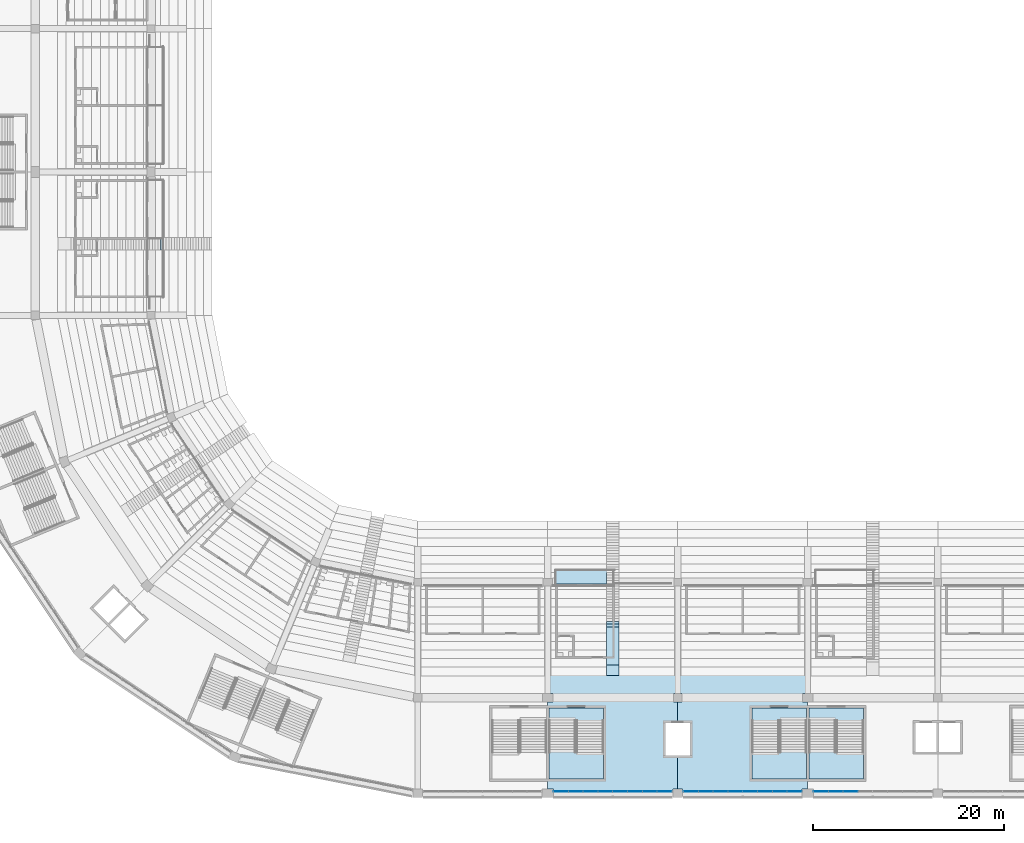
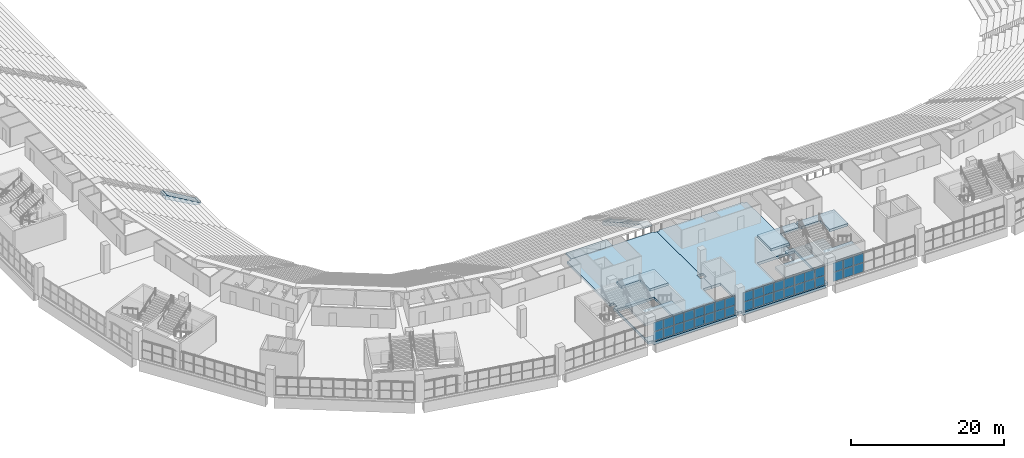
# One storey, part 65 of 249: 38 plates, 12 slabs, 6 elements without a shape of their own.
"""IFC4 building model written with IfcOpenShell, lengths in metres."""

from ifc_helpers import new_model, si_unit, direction, frame, origin, origin_2d, place, context, subcontext, project, spatial, polyline, rectangle, outline, extrude, material, layer, layer_set, type_object, element, aggregate, save


model = new_model("IFC4")

# Units and contexts
model_context = context("Model", 3, precision=1e-05, world=origin(), true_north=direction((0.0, 1.0)))
body_context = subcontext(model_context, "Body", "Model", "MODEL_VIEW")
ifc_project = project(units=[si_unit("LENGTHUNIT", "METRE"), si_unit("AREAUNIT", "SQUARE_METRE"), si_unit("VOLUMEUNIT", "CUBIC_METRE"), si_unit("PLANEANGLEUNIT", "RADIAN"), si_unit("MASSUNIT", "GRAM", prefix="KILO")], contexts=[model_context])

# Site, building, storey
site_placement = place(None, origin())
site = spatial("IfcSite", under=ifc_project, at=site_placement, CompositionType="ELEMENT")
building_placement = place(site_placement, origin())
building = spatial("IfcBuilding", under=site, at=building_placement, Name="Ogive Plaza Stadium", CompositionType="ELEMENT")
storey_placement = place(building_placement, frame((0.0, 0.0, 13.5)))
storey = spatial("IfcBuildingStorey", under=building, at=storey_placement, Name="L03", CompositionType="ELEMENT", Elevation=13.5)

# Slabs
ifc_material_1 = material(Name="Concrete C40/50", Category="concrete")
ifc_layer_1 = layer(ifc_material_1, 0.75927734375)
ifc_layer_set_1 = layer_set([ifc_layer_1], Name="Concrete C40/50")
ifc_layer_2 = layer(ifc_material_1, 0.449951171875)
ifc_layer_set_2 = layer_set([ifc_layer_2], Name="Concrete C40/50")
slab_type_1 = type_object("IfcSlabType", Name="Aisle stair slab 1300", PredefinedType="USERDEFINED", material=ifc_layer_set_2)
slab_1_placement = place(storey_placement, frame((-13.60009765625, -79.39990234375, -13.5), z_axis=(0.0, 0.0, 1.0), x_axis=(0.0, -1.0, 0.0)))
element("IfcSlab", 1, at=slab_1_placement, inside=storey, type_object=slab_type_1, material=ifc_layer_set_1, Name="Aisle stair SA15U slab 2", ObjectType="AISLE STAIR SLAB", PredefinedType="USERDEFINED", context=body_context, shape_type="SweptSolid", body=[
    extrude(outline(polyline([(0.0, 17.0), (0.2958984375, 17.0), (5.10009765625, 19.825927734375), (5.39990234375, 19.825927734375), (5.39990234375, 19.300048828125), (5.25, 19.216796875), (5.10009765625, 19.13330078125), (4.949951171875, 19.050048828125), (4.800048828125, 18.966796875), (4.64990234375, 18.88330078125), (4.5, 18.800048828125), (4.35009765625, 18.716796875), (4.199951171875, 18.63330078125), (4.050048828125, 18.550048828125), (3.89990234375, 18.466796875), (3.75, 18.38330078125), (3.60009765625, 18.300048828125), (3.449951171875, 18.216796875), (3.300048828125, 18.13330078125), (3.14990234375, 18.050048828125), (3.0, 17.966796875), (2.85009765625, 17.88330078125), (2.699951171875, 17.800048828125), (2.550048828125, 17.716796875), (2.39990234375, 17.63330078125), (2.25, 17.550048828125), (2.10009765625, 17.466796875), (1.949951171875, 17.38330078125), (1.800048828125, 17.300048828125), (1.64990234375, 17.216796875), (1.5, 17.13330078125), (1.35009765625, 17.050048828125), (1.199951171875, 16.966796875), (1.050048828125, 16.88330078125), (0.89990234375, 16.800048828125), (0.75, 16.716796875), (0.60009765625, 16.63330078125), (0.449951171875, 16.550048828125), (0.300048828125, 16.466796875), (0.14990234375, 16.38330078125), (0.0, 16.300048828125), (0.0, 17.0)])), frame((0.0, 0.64990234375, 0.0), z_axis=(0.0, -1.0, 0.0), x_axis=(1.0, 0.0, 0.0)), (0.0, 0.0, 1.0), 1.300048828125),
])
ifc_layer_3 = layer(ifc_material_1, 1.08056640625)
ifc_layer_set_3 = layer_set([ifc_layer_3], Name="Concrete C40/50")
slab_2_placement = place(storey_placement, frame((-13.60009765625, -84.800048828125, -13.5), z_axis=(0.0, 0.0, 1.0), x_axis=(0.0, -1.0, 0.0)))
element("IfcSlab", 2, at=slab_2_placement, inside=storey, type_object=slab_type_1, material=ifc_layer_set_3, Name="Aisle stair SA15U slab 3", ObjectType="AISLE STAIR SLAB", PredefinedType="USERDEFINED", context=body_context, shape_type="SweptSolid", body=[
    extrude(outline(polyline([(0.0, 20.0), (0.2958984375, 20.0), (4.25, 22.325927734375), (5.35009765625, 22.325927734375), (5.35009765625, 22.272216796875), (5.25, 22.216796875), (5.10009765625, 22.13330078125), (4.949951171875, 22.050048828125), (4.800048828125, 21.966796875), (4.64990234375, 21.88330078125), (4.5, 21.800048828125), (4.35009765625, 21.716796875), (4.199951171875, 21.63330078125), (4.050048828125, 21.550048828125), (3.89990234375, 21.466796875), (3.75, 21.38330078125), (3.60009765625, 21.300048828125), (3.449951171875, 21.216796875), (3.300048828125, 21.13330078125), (3.14990234375, 21.050048828125), (3.0, 20.966796875), (2.85009765625, 20.88330078125), (2.699951171875, 20.800048828125), (2.550048828125, 20.716796875), (2.39990234375, 20.63330078125), (2.25, 20.550048828125), (2.10009765625, 20.466796875), (1.949951171875, 20.38330078125), (1.800048828125, 20.300048828125), (1.64990234375, 20.216796875), (1.5, 20.13330078125), (1.35009765625, 20.050048828125), (1.199951171875, 19.966796875), (1.050048828125, 19.88330078125), (0.89990234375, 19.800048828125), (0.75, 19.716796875), (0.60009765625, 19.63330078125), (0.449951171875, 19.550048828125), (0.300048828125, 19.466796875), (0.14990234375, 19.38330078125), (0.0, 19.300048828125), (0.0, 20.0)])), frame((0.0, 0.64990234375, 0.0), z_axis=(0.0, -1.0, 0.0), x_axis=(1.0, 0.0, 0.0)), (0.0, 0.0, 1.0), 1.300048828125),
])
ifc_layer_4 = layer(ifc_material_1, 0.73486328125)
ifc_layer_set_4 = layer_set([ifc_layer_4], Name="Concrete C40/50")
slab_3_placement = place(storey_placement, frame((-55.5, -45.0, -13.5), z_axis=(0.0, 0.0, 1.0), x_axis=(-1.0, 0.0, 0.0)))
element("IfcSlab", 3, at=slab_3_placement, inside=storey, type_object=slab_type_1, material=ifc_layer_set_4, Name="Aisle stair SA21U slab 1", ObjectType="AISLE STAIR SLAB", PredefinedType="USERDEFINED", context=body_context, shape_type="SweptSolid", body=[
    extrude(outline(polyline([(0.0, 14.0), (0.2958984375, 14.0), (5.10009765625, 16.825927734375), (5.39990234375, 16.825927734375), (5.39990234375, 16.300048828125), (5.359375, 16.27734375), (5.209228515625, 16.194091796875), (5.059326171875, 16.110595703125), (4.9091796875, 16.02734375), (4.75927734375, 15.944091796875), (4.609375, 15.860595703125), (4.459228515625, 15.77734375), (4.309326171875, 15.694091796875), (4.1591796875, 15.610595703125), (4.00927734375, 15.52734375), (3.859375, 15.444091796875), (3.709228515625, 15.360595703125), (3.559326171875, 15.27734375), (3.4091796875, 15.194091796875), (3.25927734375, 15.110595703125), (3.109375, 15.02734375), (2.959228515625, 14.944091796875), (2.809326171875, 14.860595703125), (2.6591796875, 14.77734375), (2.50927734375, 14.694091796875), (2.359375, 14.610595703125), (2.209228515625, 14.52734375), (2.059326171875, 14.444091796875), (1.9091796875, 14.360595703125), (1.75927734375, 14.27734375), (1.609375, 14.194091796875), (1.459228515625, 14.110595703125), (1.309326171875, 14.02734375), (1.1591796875, 13.944091796875), (1.00927734375, 13.860595703125), (0.859375, 13.77734375), (0.709228515625, 13.75), (0.559326171875, 13.75), (0.4091796875, 13.75), (0.25927734375, 13.75), (0.109375, 13.75), (0.0, 14.0)])), frame((0.0, 0.64990234375, 0.0), z_axis=(0.0, -1.0, 0.0), x_axis=(1.0, 0.0, 0.0)), (0.0, 0.0, 1.0), 1.300048828125),
])
ifc_material_2 = material(Name="Concrete C40/50", Category="concrete")
ifc_layer_5 = layer(ifc_material_2, 0.25)
ifc_layer_set_5 = layer_set([ifc_layer_5], Name="Concrete C40/50")
slab_type_2 = type_object("IfcSlabType", Name="Balcony slab 250", PredefinedType="FLOOR", material=ifc_layer_set_5)
slab_4_placement = place(storey_placement, frame((0.0, 0.0, -0.25)))
element("IfcSlab", 4, at=slab_4_placement, inside=storey, type_object=slab_type_2, Name="Suite terrace slab B15", PredefinedType="FLOOR", context=body_context, shape_type="SweptSolid", body=[
    extrude(outline(polyline([(-19.574951171875, -79.0), (-19.574951171875, -80.60009765625), (-13.425048828125, -80.60009765625), (-13.425048828125, -79.0), (-19.574951171875, -79.0)])), origin(), (0.0, 0.0, 1.0), 0.25),
])

# Curtain wall, plates
ifc_material_3 = material(Name="Bronze-anodised aluminium with laminated glass", Category="aluminium")
curtain_wall_type = type_object("IfcCurtainWallType", Name="Lancet curtain wall", PredefinedType="NOTDEFINED", material=ifc_material_3)
curtain_wall_1_placement = place(storey_placement, origin())
curtain_wall_1 = element("IfcCurtainWall", 5, at=curtain_wall_1_placement, inside=storey, type_object=curtain_wall_type, Name="CURTAIN WALL B13 L03", PredefinedType="NOTDEFINED")
ifc_material_4 = material(Name="Laminated glass", Category="glass")
ifc_layer_6 = layer(ifc_material_4, 0.028076171875)
ifc_layer_set_6 = layer_set([ifc_layer_6], Name="Laminated glass panel 28")
plate_type = type_object("IfcPlateType", Name="Laminated glass panel 28", PredefinedType="CURTAIN_PANEL", material=ifc_layer_set_6)
plate_1_placement = place(storey_placement, frame((11.27490234375, -102.300048828125, 0.0498046875), z_axis=(0.0, 0.0, 1.0), x_axis=(-1.0, 0.0, 0.0)))
plate_1 = element("IfcPlate", 6, at=plate_1_placement, type_object=plate_type, Name="CW-B13-L03 panel 6.1", PredefinedType="CURTAIN_PANEL", context=body_context, shape_type="SweptSolid", body=[
    extrude(rectangle(XDim=1.5, YDim=0.028076171875, at=origin_2d()), origin(), (0.0, 0.0, 1.0), 1.469970703125),
])
plate_2_placement = place(storey_placement, frame((11.27490234375, -102.300048828125, 1.56982421875), z_axis=(0.0, 0.0, 1.0), x_axis=(-1.0, 0.0, 0.0)))
plate_2 = element("IfcPlate", 7, at=plate_2_placement, type_object=plate_type, Name="CW-B13-L03 panel 6.2", PredefinedType="CURTAIN_PANEL", context=body_context, shape_type="SweptSolid", body=[
    extrude(rectangle(XDim=1.5, YDim=0.028076171875, at=origin_2d()), origin(), (0.0, 0.0, 1.0), 1.469970703125),
])
plate_3_placement = place(storey_placement, frame((9.72509765625, -102.300048828125, 0.0498046875), z_axis=(0.0, 0.0, 1.0), x_axis=(-1.0, 0.0, 0.0)))
plate_3 = element("IfcPlate", 8, at=plate_3_placement, type_object=plate_type, Name="CW-B13-L03 panel 7.1", PredefinedType="CURTAIN_PANEL", context=body_context, shape_type="SweptSolid", body=[
    extrude(rectangle(XDim=1.5, YDim=0.028076171875, at=origin_2d()), origin(), (0.0, 0.0, 1.0), 1.469970703125),
])
plate_4_placement = place(storey_placement, frame((9.72509765625, -102.300048828125, 1.56982421875), z_axis=(0.0, 0.0, 1.0), x_axis=(-1.0, 0.0, 0.0)))
plate_4 = element("IfcPlate", 9, at=plate_4_placement, type_object=plate_type, Name="CW-B13-L03 panel 7.2", PredefinedType="CURTAIN_PANEL", context=body_context, shape_type="SweptSolid", body=[
    extrude(rectangle(XDim=1.5, YDim=0.028076171875, at=origin_2d()), origin(), (0.0, 0.0, 1.0), 1.469970703125),
])
plate_5_placement = place(storey_placement, frame((8.1875, -102.300048828125, 0.0498046875), z_axis=(0.0, 0.0, 1.0), x_axis=(-1.0, 0.0, 0.0)))
plate_5 = element("IfcPlate", 10, at=plate_5_placement, type_object=plate_type, Name="CW-B13-L03 panel 8.1", PredefinedType="CURTAIN_PANEL", context=body_context, shape_type="SweptSolid", body=[
    extrude(rectangle(XDim=1.47509765625, YDim=0.028076171875, at=origin_2d()), origin(), (0.0, 0.0, 1.0), 1.469970703125),
])
plate_6_placement = place(storey_placement, frame((8.1875, -102.300048828125, 1.56982421875), z_axis=(0.0, 0.0, 1.0), x_axis=(-1.0, 0.0, 0.0)))
plate_6 = element("IfcPlate", 11, at=plate_6_placement, type_object=plate_type, Name="CW-B13-L03 panel 8.2", PredefinedType="CURTAIN_PANEL", context=body_context, shape_type="SweptSolid", body=[
    extrude(rectangle(XDim=1.47509765625, YDim=0.028076171875, at=origin_2d()), origin(), (0.0, 0.0, 1.0), 1.469970703125),
])
aggregate(curtain_wall_1, [plate_1, plate_2, plate_3, plate_4, plate_5, plate_6])

curtain_wall_2_placement = place(storey_placement, origin())
curtain_wall_2 = element("IfcCurtainWall", 12, at=curtain_wall_2_placement, inside=storey, type_object=curtain_wall_type, Name="CURTAIN WALL B14 L03", PredefinedType="NOTDEFINED")
plate_7_placement = place(storey_placement, frame((5.41259765625, -102.300048828125, 0.0498046875), z_axis=(0.0, 0.0, 1.0), x_axis=(-1.0, 0.0, 0.0)))
plate_7 = element("IfcPlate", 13, at=plate_7_placement, type_object=plate_type, Name="CW-B14-L03 panel 1.1", PredefinedType="CURTAIN_PANEL", context=body_context, shape_type="SweptSolid", body=[
    extrude(rectangle(XDim=1.47509765625, YDim=0.028076171875, at=origin_2d()), origin(), (0.0, 0.0, 1.0), 1.469970703125),
])
plate_8_placement = place(storey_placement, frame((5.41259765625, -102.300048828125, 1.56982421875), z_axis=(0.0, 0.0, 1.0), x_axis=(-1.0, 0.0, 0.0)))
plate_8 = element("IfcPlate", 14, at=plate_8_placement, type_object=plate_type, Name="CW-B14-L03 panel 1.2", PredefinedType="CURTAIN_PANEL", context=body_context, shape_type="SweptSolid", body=[
    extrude(rectangle(XDim=1.47509765625, YDim=0.028076171875, at=origin_2d()), origin(), (0.0, 0.0, 1.0), 1.469970703125),
])
plate_9_placement = place(storey_placement, frame((3.875, -102.300048828125, 0.0498046875), z_axis=(0.0, 0.0, 1.0), x_axis=(-1.0, 0.0, 0.0)))
plate_9 = element("IfcPlate", 15, at=plate_9_placement, type_object=plate_type, Name="CW-B14-L03 panel 2.1", PredefinedType="CURTAIN_PANEL", context=body_context, shape_type="SweptSolid", body=[
    extrude(rectangle(XDim=1.5, YDim=0.028076171875, at=origin_2d()), origin(), (0.0, 0.0, 1.0), 1.469970703125),
])
plate_10_placement = place(storey_placement, frame((3.875, -102.300048828125, 1.56982421875), z_axis=(0.0, 0.0, 1.0), x_axis=(-1.0, 0.0, 0.0)))
plate_10 = element("IfcPlate", 16, at=plate_10_placement, type_object=plate_type, Name="CW-B14-L03 panel 2.2", PredefinedType="CURTAIN_PANEL", context=body_context, shape_type="SweptSolid", body=[
    extrude(rectangle(XDim=1.5, YDim=0.028076171875, at=origin_2d()), origin(), (0.0, 0.0, 1.0), 1.469970703125),
])
plate_11_placement = place(storey_placement, frame((2.324951171875, -102.300048828125, 0.0498046875), z_axis=(0.0, 0.0, 1.0), x_axis=(-1.0, 0.0, 0.0)))
plate_11 = element("IfcPlate", 17, at=plate_11_placement, type_object=plate_type, Name="CW-B14-L03 panel 3.1", PredefinedType="CURTAIN_PANEL", context=body_context, shape_type="SweptSolid", body=[
    extrude(rectangle(XDim=1.5, YDim=0.028076171875, at=origin_2d()), origin(), (0.0, 0.0, 1.0), 1.469970703125),
])
plate_12_placement = place(storey_placement, frame((2.324951171875, -102.300048828125, 1.56982421875), z_axis=(0.0, 0.0, 1.0), x_axis=(-1.0, 0.0, 0.0)))
plate_12 = element("IfcPlate", 18, at=plate_12_placement, type_object=plate_type, Name="CW-B14-L03 panel 3.2", PredefinedType="CURTAIN_PANEL", context=body_context, shape_type="SweptSolid", body=[
    extrude(rectangle(XDim=1.5, YDim=0.028076171875, at=origin_2d()), origin(), (0.0, 0.0, 1.0), 1.469970703125),
])
plate_13_placement = place(storey_placement, frame((0.77490234375, -102.300048828125, 0.0498046875), z_axis=(0.0, 0.0, 1.0), x_axis=(-1.0, 0.0, 0.0)))
plate_13 = element("IfcPlate", 19, at=plate_13_placement, type_object=plate_type, Name="CW-B14-L03 panel 4.1", PredefinedType="CURTAIN_PANEL", context=body_context, shape_type="SweptSolid", body=[
    extrude(rectangle(XDim=1.5, YDim=0.028076171875, at=origin_2d()), origin(), (0.0, 0.0, 1.0), 1.469970703125),
])
plate_14_placement = place(storey_placement, frame((0.77490234375, -102.300048828125, 1.56982421875), z_axis=(0.0, 0.0, 1.0), x_axis=(-1.0, 0.0, 0.0)))
plate_14 = element("IfcPlate", 20, at=plate_14_placement, type_object=plate_type, Name="CW-B14-L03 panel 4.2", PredefinedType="CURTAIN_PANEL", context=body_context, shape_type="SweptSolid", body=[
    extrude(rectangle(XDim=1.5, YDim=0.028076171875, at=origin_2d()), origin(), (0.0, 0.0, 1.0), 1.469970703125),
])
plate_15_placement = place(storey_placement, frame((-0.77490234375, -102.300048828125, 0.0498046875), z_axis=(0.0, 0.0, 1.0), x_axis=(-1.0, 0.0, 0.0)))
plate_15 = element("IfcPlate", 21, at=plate_15_placement, type_object=plate_type, Name="CW-B14-L03 panel 5.1", PredefinedType="CURTAIN_PANEL", context=body_context, shape_type="SweptSolid", body=[
    extrude(rectangle(XDim=1.5, YDim=0.028076171875, at=origin_2d()), origin(), (0.0, 0.0, 1.0), 1.469970703125),
])
plate_16_placement = place(storey_placement, frame((-0.77490234375, -102.300048828125, 1.56982421875), z_axis=(0.0, 0.0, 1.0), x_axis=(-1.0, 0.0, 0.0)))
plate_16 = element("IfcPlate", 22, at=plate_16_placement, type_object=plate_type, Name="CW-B14-L03 panel 5.2", PredefinedType="CURTAIN_PANEL", context=body_context, shape_type="SweptSolid", body=[
    extrude(rectangle(XDim=1.5, YDim=0.028076171875, at=origin_2d()), origin(), (0.0, 0.0, 1.0), 1.469970703125),
])
plate_17_placement = place(storey_placement, frame((-2.324951171875, -102.300048828125, 0.0498046875), z_axis=(0.0, 0.0, 1.0), x_axis=(-1.0, 0.0, 0.0)))
plate_17 = element("IfcPlate", 23, at=plate_17_placement, type_object=plate_type, Name="CW-B14-L03 panel 6.1", PredefinedType="CURTAIN_PANEL", context=body_context, shape_type="SweptSolid", body=[
    extrude(rectangle(XDim=1.5, YDim=0.028076171875, at=origin_2d()), origin(), (0.0, 0.0, 1.0), 1.469970703125),
])
plate_18_placement = place(storey_placement, frame((-2.324951171875, -102.300048828125, 1.56982421875), z_axis=(0.0, 0.0, 1.0), x_axis=(-1.0, 0.0, 0.0)))
plate_18 = element("IfcPlate", 24, at=plate_18_placement, type_object=plate_type, Name="CW-B14-L03 panel 6.2", PredefinedType="CURTAIN_PANEL", context=body_context, shape_type="SweptSolid", body=[
    extrude(rectangle(XDim=1.5, YDim=0.028076171875, at=origin_2d()), origin(), (0.0, 0.0, 1.0), 1.469970703125),
])
plate_19_placement = place(storey_placement, frame((-3.875, -102.300048828125, 0.0498046875), z_axis=(0.0, 0.0, 1.0), x_axis=(-1.0, 0.0, 0.0)))
plate_19 = element("IfcPlate", 25, at=plate_19_placement, type_object=plate_type, Name="CW-B14-L03 panel 7.1", PredefinedType="CURTAIN_PANEL", context=body_context, shape_type="SweptSolid", body=[
    extrude(rectangle(XDim=1.5, YDim=0.028076171875, at=origin_2d()), origin(), (0.0, 0.0, 1.0), 1.469970703125),
])
plate_20_placement = place(storey_placement, frame((-3.875, -102.300048828125, 1.56982421875), z_axis=(0.0, 0.0, 1.0), x_axis=(-1.0, 0.0, 0.0)))
plate_20 = element("IfcPlate", 26, at=plate_20_placement, type_object=plate_type, Name="CW-B14-L03 panel 7.2", PredefinedType="CURTAIN_PANEL", context=body_context, shape_type="SweptSolid", body=[
    extrude(rectangle(XDim=1.5, YDim=0.028076171875, at=origin_2d()), origin(), (0.0, 0.0, 1.0), 1.469970703125),
])
plate_21_placement = place(storey_placement, frame((-5.41259765625, -102.300048828125, 0.0498046875), z_axis=(0.0, 0.0, 1.0), x_axis=(-1.0, 0.0, 0.0)))
plate_21 = element("IfcPlate", 27, at=plate_21_placement, type_object=plate_type, Name="CW-B14-L03 panel 8.1", PredefinedType="CURTAIN_PANEL", context=body_context, shape_type="SweptSolid", body=[
    extrude(rectangle(XDim=1.47509765625, YDim=0.028076171875, at=origin_2d()), origin(), (0.0, 0.0, 1.0), 1.469970703125),
])
plate_22_placement = place(storey_placement, frame((-5.41259765625, -102.300048828125, 1.56982421875), z_axis=(0.0, 0.0, 1.0), x_axis=(-1.0, 0.0, 0.0)))
plate_22 = element("IfcPlate", 28, at=plate_22_placement, type_object=plate_type, Name="CW-B14-L03 panel 8.2", PredefinedType="CURTAIN_PANEL", context=body_context, shape_type="SweptSolid", body=[
    extrude(rectangle(XDim=1.47509765625, YDim=0.028076171875, at=origin_2d()), origin(), (0.0, 0.0, 1.0), 1.469970703125),
])
aggregate(curtain_wall_2, [plate_7, plate_8, plate_9, plate_10, plate_11, plate_12, plate_13, plate_14, plate_15, plate_16, plate_17, plate_18, plate_19, plate_20, plate_21, plate_22])

curtain_wall_3_placement = place(storey_placement, origin())
curtain_wall_3 = element("IfcCurtainWall", 29, at=curtain_wall_3_placement, inside=storey, type_object=curtain_wall_type, Name="CURTAIN WALL B15 L03", PredefinedType="NOTDEFINED")
plate_23_placement = place(storey_placement, frame((-8.1875, -102.300048828125, 0.0498046875), z_axis=(0.0, 0.0, 1.0), x_axis=(-1.0, 0.0, 0.0)))
plate_23 = element("IfcPlate", 30, at=plate_23_placement, type_object=plate_type, Name="CW-B15-L03 panel 1.1", PredefinedType="CURTAIN_PANEL", context=body_context, shape_type="SweptSolid", body=[
    extrude(rectangle(XDim=1.47509765625, YDim=0.028076171875, at=origin_2d()), origin(), (0.0, 0.0, 1.0), 1.469970703125),
])
plate_24_placement = place(storey_placement, frame((-8.1875, -102.300048828125, 1.56982421875), z_axis=(0.0, 0.0, 1.0), x_axis=(-1.0, 0.0, 0.0)))
plate_24 = element("IfcPlate", 31, at=plate_24_placement, type_object=plate_type, Name="CW-B15-L03 panel 1.2", PredefinedType="CURTAIN_PANEL", context=body_context, shape_type="SweptSolid", body=[
    extrude(rectangle(XDim=1.47509765625, YDim=0.028076171875, at=origin_2d()), origin(), (0.0, 0.0, 1.0), 1.469970703125),
])
plate_25_placement = place(storey_placement, frame((-9.72509765625, -102.300048828125, 0.0498046875), z_axis=(0.0, 0.0, 1.0), x_axis=(-1.0, 0.0, 0.0)))
plate_25 = element("IfcPlate", 32, at=plate_25_placement, type_object=plate_type, Name="CW-B15-L03 panel 2.1", PredefinedType="CURTAIN_PANEL", context=body_context, shape_type="SweptSolid", body=[
    extrude(rectangle(XDim=1.5, YDim=0.028076171875, at=origin_2d()), origin(), (0.0, 0.0, 1.0), 1.469970703125),
])
plate_26_placement = place(storey_placement, frame((-9.72509765625, -102.300048828125, 1.56982421875), z_axis=(0.0, 0.0, 1.0), x_axis=(-1.0, 0.0, 0.0)))
plate_26 = element("IfcPlate", 33, at=plate_26_placement, type_object=plate_type, Name="CW-B15-L03 panel 2.2", PredefinedType="CURTAIN_PANEL", context=body_context, shape_type="SweptSolid", body=[
    extrude(rectangle(XDim=1.5, YDim=0.028076171875, at=origin_2d()), origin(), (0.0, 0.0, 1.0), 1.469970703125),
])
plate_27_placement = place(storey_placement, frame((-11.27490234375, -102.300048828125, 0.0498046875), z_axis=(0.0, 0.0, 1.0), x_axis=(-1.0, 0.0, 0.0)))
plate_27 = element("IfcPlate", 34, at=plate_27_placement, type_object=plate_type, Name="CW-B15-L03 panel 3.1", PredefinedType="CURTAIN_PANEL", context=body_context, shape_type="SweptSolid", body=[
    extrude(rectangle(XDim=1.5, YDim=0.028076171875, at=origin_2d()), origin(), (0.0, 0.0, 1.0), 1.469970703125),
])
plate_28_placement = place(storey_placement, frame((-11.27490234375, -102.300048828125, 1.56982421875), z_axis=(0.0, 0.0, 1.0), x_axis=(-1.0, 0.0, 0.0)))
plate_28 = element("IfcPlate", 35, at=plate_28_placement, type_object=plate_type, Name="CW-B15-L03 panel 3.2", PredefinedType="CURTAIN_PANEL", context=body_context, shape_type="SweptSolid", body=[
    extrude(rectangle(XDim=1.5, YDim=0.028076171875, at=origin_2d()), origin(), (0.0, 0.0, 1.0), 1.469970703125),
])
plate_29_placement = place(storey_placement, frame((-12.824951171875, -102.300048828125, 0.0498046875), z_axis=(0.0, 0.0, 1.0), x_axis=(-1.0, 0.0, 0.0)))
plate_29 = element("IfcPlate", 36, at=plate_29_placement, type_object=plate_type, Name="CW-B15-L03 panel 4.1", PredefinedType="CURTAIN_PANEL", context=body_context, shape_type="SweptSolid", body=[
    extrude(rectangle(XDim=1.5, YDim=0.028076171875, at=origin_2d()), origin(), (0.0, 0.0, 1.0), 1.469970703125),
])
plate_30_placement = place(storey_placement, frame((-12.824951171875, -102.300048828125, 1.56982421875), z_axis=(0.0, 0.0, 1.0), x_axis=(-1.0, 0.0, 0.0)))
plate_30 = element("IfcPlate", 37, at=plate_30_placement, type_object=plate_type, Name="CW-B15-L03 panel 4.2", PredefinedType="CURTAIN_PANEL", context=body_context, shape_type="SweptSolid", body=[
    extrude(rectangle(XDim=1.5, YDim=0.028076171875, at=origin_2d()), origin(), (0.0, 0.0, 1.0), 1.469970703125),
])
plate_31_placement = place(storey_placement, frame((-14.375, -102.300048828125, 0.0498046875), z_axis=(0.0, 0.0, 1.0), x_axis=(-1.0, 0.0, 0.0)))
plate_31 = element("IfcPlate", 38, at=plate_31_placement, type_object=plate_type, Name="CW-B15-L03 panel 5.1", PredefinedType="CURTAIN_PANEL", context=body_context, shape_type="SweptSolid", body=[
    extrude(rectangle(XDim=1.5, YDim=0.028076171875, at=origin_2d()), origin(), (0.0, 0.0, 1.0), 1.469970703125),
])
plate_32_placement = place(storey_placement, frame((-14.375, -102.300048828125, 1.56982421875), z_axis=(0.0, 0.0, 1.0), x_axis=(-1.0, 0.0, 0.0)))
plate_32 = element("IfcPlate", 39, at=plate_32_placement, type_object=plate_type, Name="CW-B15-L03 panel 5.2", PredefinedType="CURTAIN_PANEL", context=body_context, shape_type="SweptSolid", body=[
    extrude(rectangle(XDim=1.5, YDim=0.028076171875, at=origin_2d()), origin(), (0.0, 0.0, 1.0), 1.469970703125),
])
plate_33_placement = place(storey_placement, frame((-15.925048828125, -102.300048828125, 0.0498046875), z_axis=(0.0, 0.0, 1.0), x_axis=(-1.0, 0.0, 0.0)))
plate_33 = element("IfcPlate", 40, at=plate_33_placement, type_object=plate_type, Name="CW-B15-L03 panel 6.1", PredefinedType="CURTAIN_PANEL", context=body_context, shape_type="SweptSolid", body=[
    extrude(rectangle(XDim=1.5, YDim=0.028076171875, at=origin_2d()), origin(), (0.0, 0.0, 1.0), 1.469970703125),
])
plate_34_placement = place(storey_placement, frame((-15.925048828125, -102.300048828125, 1.56982421875), z_axis=(0.0, 0.0, 1.0), x_axis=(-1.0, 0.0, 0.0)))
plate_34 = element("IfcPlate", 41, at=plate_34_placement, type_object=plate_type, Name="CW-B15-L03 panel 6.2", PredefinedType="CURTAIN_PANEL", context=body_context, shape_type="SweptSolid", body=[
    extrude(rectangle(XDim=1.5, YDim=0.028076171875, at=origin_2d()), origin(), (0.0, 0.0, 1.0), 1.469970703125),
])
plate_35_placement = place(storey_placement, frame((-17.47509765625, -102.300048828125, 0.0498046875), z_axis=(0.0, 0.0, 1.0), x_axis=(-1.0, 0.0, 0.0)))
plate_35 = element("IfcPlate", 42, at=plate_35_placement, type_object=plate_type, Name="CW-B15-L03 panel 7.1", PredefinedType="CURTAIN_PANEL", context=body_context, shape_type="SweptSolid", body=[
    extrude(rectangle(XDim=1.5, YDim=0.028076171875, at=origin_2d()), origin(), (0.0, 0.0, 1.0), 1.469970703125),
])
plate_36_placement = place(storey_placement, frame((-17.47509765625, -102.300048828125, 1.56982421875), z_axis=(0.0, 0.0, 1.0), x_axis=(-1.0, 0.0, 0.0)))
plate_36 = element("IfcPlate", 43, at=plate_36_placement, type_object=plate_type, Name="CW-B15-L03 panel 7.2", PredefinedType="CURTAIN_PANEL", context=body_context, shape_type="SweptSolid", body=[
    extrude(rectangle(XDim=1.5, YDim=0.028076171875, at=origin_2d()), origin(), (0.0, 0.0, 1.0), 1.469970703125),
])
plate_37_placement = place(storey_placement, frame((-19.012451171875, -102.300048828125, 0.0498046875), z_axis=(0.0, 0.0, 1.0), x_axis=(-1.0, 0.0, 0.0)))
plate_37 = element("IfcPlate", 44, at=plate_37_placement, type_object=plate_type, Name="CW-B15-L03 panel 8.1", PredefinedType="CURTAIN_PANEL", context=body_context, shape_type="SweptSolid", body=[
    extrude(rectangle(XDim=1.47509765625, YDim=0.028076171875, at=origin_2d()), origin(), (0.0, 0.0, 1.0), 1.469970703125),
])
plate_38_placement = place(storey_placement, frame((-19.012451171875, -102.300048828125, 1.56982421875), z_axis=(0.0, 0.0, 1.0), x_axis=(-1.0, 0.0, 0.0)))
plate_38 = element("IfcPlate", 45, at=plate_38_placement, type_object=plate_type, Name="CW-B15-L03 panel 8.2", PredefinedType="CURTAIN_PANEL", context=body_context, shape_type="SweptSolid", body=[
    extrude(rectangle(XDim=1.47509765625, YDim=0.028076171875, at=origin_2d()), origin(), (0.0, 0.0, 1.0), 1.469970703125),
])
aggregate(curtain_wall_3, [plate_23, plate_24, plate_25, plate_26, plate_27, plate_28, plate_29, plate_30, plate_31, plate_32, plate_33, plate_34, plate_35, plate_36, plate_37, plate_38])

# Slabs
ifc_material_5 = material(Name="Concrete C40/50", Category="concrete")
ifc_layer_7 = layer(ifc_material_5, 0.409912109375)
ifc_layer_set_7 = layer_set([ifc_layer_7], Name="Concrete C40/50")
slab_type_3 = type_object("IfcSlabType", Name="RC floor slab 410", PredefinedType="FLOOR", material=ifc_layer_set_7)
slab_5_placement = place(storey_placement, frame((0.0, 0.0, -0.409912109375)))
element("IfcSlab", 46, at=slab_5_placement, inside=storey, type_object=slab_type_3, Name="Floor slab L03 B14", PredefinedType="FLOOR", context=body_context, shape_type="SweptSolid", body=[
    extrude(outline(polyline([(-6.800048828125, -92.050048828125), (-6.35009765625, -92.050048828125), (-6.35009765625, -92.949951171875), (-6.800048828125, -92.949951171875), (-6.800048828125, -95.14990234375), (-5.5, -95.14990234375), (-5.5, -98.550048828125), (-6.800048828125, -98.550048828125), (-6.800048828125, -102.050048828125), (-6.300048828125, -102.050048828125), (-6.300048828125, -102.5), (6.199951171875, -102.5), (6.199951171875, -102.050048828125), (6.800048828125, -102.050048828125), (6.800048828125, -92.949951171875), (6.25, -92.949951171875), (6.25, -92.050048828125), (6.800048828125, -92.050048828125), (6.800048828125, -80.800048828125), (6.300048828125, -80.800048828125), (6.300048828125, -80.60009765625), (-6.39990234375, -80.60009765625), (-6.39990234375, -80.800048828125), (-6.800048828125, -80.800048828125), (-6.800048828125, -92.050048828125)]), holes=[polyline([(6.675048828125, -93.550048828125), (0.97509765625, -93.550048828125), (0.97509765625, -101.010009765625), (6.675048828125, -101.010009765625), (6.675048828125, -93.550048828125)])]), origin(), (0.0, 0.0, 1.0), 0.409912109375),
])
slab_6_placement = place(storey_placement, frame((0.0, 0.0, -0.409912109375)))
element("IfcSlab", 47, at=slab_6_placement, inside=storey, type_object=slab_type_3, Name="Floor slab L03 B15", PredefinedType="FLOOR", context=body_context, shape_type="SweptSolid", body=[
    extrude(outline(polyline([(-20.39990234375, -92.050048828125), (-19.85009765625, -92.050048828125), (-19.85009765625, -92.949951171875), (-20.39990234375, -92.949951171875), (-20.39990234375, -102.050048828125), (-19.800048828125, -102.050048828125), (-19.800048828125, -102.5), (-7.300048828125, -102.5), (-7.300048828125, -102.050048828125), (-6.800048828125, -102.050048828125), (-6.800048828125, -98.550048828125), (-8.10009765625, -98.550048828125), (-8.10009765625, -95.14990234375), (-6.800048828125, -95.14990234375), (-6.800048828125, -92.949951171875), (-7.25, -92.949951171875), (-7.25, -92.050048828125), (-6.800048828125, -92.050048828125), (-6.800048828125, -80.800048828125), (-7.199951171875, -80.800048828125), (-7.199951171875, -80.60009765625), (-19.89990234375, -80.60009765625), (-19.89990234375, -80.800048828125), (-20.39990234375, -80.800048828125), (-20.39990234375, -92.050048828125)]), holes=[polyline([(-14.574951171875, -93.550048828125), (-20.27490234375, -93.550048828125), (-20.27490234375, -101.010009765625), (-14.574951171875, -101.010009765625), (-14.574951171875, -93.550048828125)])]), origin(), (0.0, 0.0, 1.0), 0.409912109375),
])

# Stair, slabs
ifc_material_6 = material(Name="Concrete C40/50", Category="concrete")
stair_type = type_object("IfcStairType", Name="Exit stair", PredefinedType="STRAIGHT_RUN_STAIR", material=ifc_material_6)
stair_1_placement = place(storey_placement, origin())
stair_1 = element("IfcStair", 48, at=stair_1_placement, inside=storey, type_object=stair_type, Name="Exit stair ST14A L03 to L04", PredefinedType="STRAIGHT_RUN_STAIR")
ifc_material_7 = material(Name="Concrete C40/50", Category="concrete")
ifc_layer_8 = layer(ifc_material_7, 0.39990234375)
ifc_layer_set_8 = layer_set([ifc_layer_8], Name="Concrete C40/50")
slab_type_4 = type_object("IfcSlabType", Name="Stair landing", PredefinedType="LANDING", material=ifc_layer_set_8)
slab_7_placement = place(storey_placement, frame((0.0, 0.0, 1.85009765625)))
slab_7 = element("IfcSlab", 49, at=slab_7_placement, type_object=slab_type_4, Name="ST14A landing 1", PredefinedType="LANDING", context=body_context, shape_type="SweptSolid", body=[
    extrude(outline(polyline([(6.675048828125, -101.010009765625), (0.97509765625, -101.010009765625), (0.97509765625, -98.2099609375), (3.875, -98.2099609375), (3.875, -95.81005859375), (6.675048828125, -95.81005859375), (6.675048828125, -98.2099609375), (6.675048828125, -101.010009765625)])), origin(), (0.0, 0.0, 1.0), 0.39990234375),
])
slab_8_placement = place(storey_placement, frame((0.0, 0.0, 4.10009765625)))
slab_8 = element("IfcSlab", 50, at=slab_8_placement, type_object=slab_type_4, Name="ST14A landing 2", PredefinedType="LANDING", context=body_context, shape_type="SweptSolid", body=[
    extrude(outline(polyline([(3.77490234375, -97.25), (0.97509765625, -97.25), (0.97509765625, -94.85009765625), (0.97509765625, -93.550048828125), (6.675048828125, -93.550048828125), (6.675048828125, -94.85009765625), (3.77490234375, -94.85009765625), (3.77490234375, -97.25)])), origin(), (0.0, 0.0, 1.0), 0.39990234375),
])
aggregate(stair_1, [slab_7, slab_8])

stair_2_placement = place(storey_placement, origin())
stair_2 = element("IfcStair", 51, at=stair_2_placement, inside=storey, type_object=stair_type, Name="Exit stair ST14B L03 to L04", PredefinedType="STRAIGHT_RUN_STAIR")
slab_9_placement = place(storey_placement, frame((0.0, 0.0, 1.85009765625)))
slab_9 = element("IfcSlab", 52, at=slab_9_placement, type_object=slab_type_4, Name="ST14B landing 1", PredefinedType="LANDING", context=body_context, shape_type="SweptSolid", body=[
    extrude(outline(polyline([(6.925048828125, -95.81005859375), (9.72509765625, -95.81005859375), (9.72509765625, -98.2099609375), (12.625, -98.2099609375), (12.625, -101.010009765625), (6.925048828125, -101.010009765625), (6.925048828125, -98.2099609375), (6.925048828125, -95.81005859375)])), origin(), (0.0, 0.0, 1.0), 0.39990234375),
])
slab_10_placement = place(storey_placement, frame((0.0, 0.0, 4.10009765625)))
slab_10 = element("IfcSlab", 53, at=slab_10_placement, type_object=slab_type_4, Name="ST14B landing 2", PredefinedType="LANDING", context=body_context, shape_type="SweptSolid", body=[
    extrude(outline(polyline([(6.925048828125, -94.85009765625), (6.925048828125, -93.550048828125), (12.625, -93.550048828125), (12.625, -94.85009765625), (12.625, -97.25), (9.824951171875, -97.25), (9.824951171875, -94.85009765625), (6.925048828125, -94.85009765625)])), origin(), (0.0, 0.0, 1.0), 0.39990234375),
])
aggregate(stair_2, [slab_9, slab_10])

stair_3_placement = place(storey_placement, origin())
stair_3 = element("IfcStair", 54, at=stair_3_placement, inside=storey, type_object=stair_type, Name="Exit stair ST16B L03 to L04", PredefinedType="STRAIGHT_RUN_STAIR")
slab_11_placement = place(storey_placement, frame((0.0, 0.0, 1.85009765625)))
slab_11 = element("IfcSlab", 55, at=slab_11_placement, type_object=slab_type_4, Name="ST16B landing 1", PredefinedType="LANDING", context=body_context, shape_type="SweptSolid", body=[
    extrude(outline(polyline([(-20.27490234375, -95.81005859375), (-17.47509765625, -95.81005859375), (-17.47509765625, -98.2099609375), (-14.574951171875, -98.2099609375), (-14.574951171875, -101.010009765625), (-20.27490234375, -101.010009765625), (-20.27490234375, -98.2099609375), (-20.27490234375, -95.81005859375)])), origin(), (0.0, 0.0, 1.0), 0.39990234375),
])
slab_12_placement = place(storey_placement, frame((0.0, 0.0, 4.10009765625)))
slab_12 = element("IfcSlab", 56, at=slab_12_placement, type_object=slab_type_4, Name="ST16B landing 2", PredefinedType="LANDING", context=body_context, shape_type="SweptSolid", body=[
    extrude(outline(polyline([(-20.27490234375, -94.85009765625), (-20.27490234375, -93.550048828125), (-14.574951171875, -93.550048828125), (-14.574951171875, -94.85009765625), (-14.574951171875, -97.25), (-17.375, -97.25), (-17.375, -94.85009765625), (-20.27490234375, -94.85009765625)])), origin(), (0.0, 0.0, 1.0), 0.39990234375),
])
aggregate(stair_3, [slab_11, slab_12])

save(model, "model.ifc")
